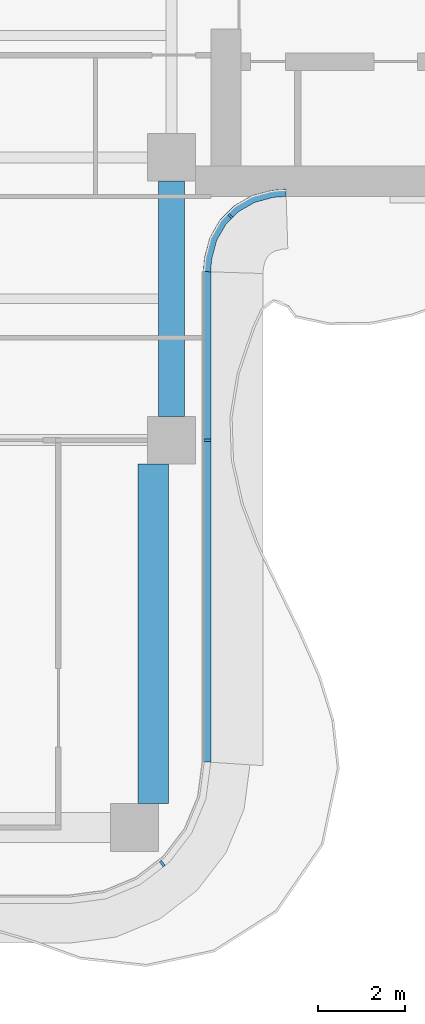
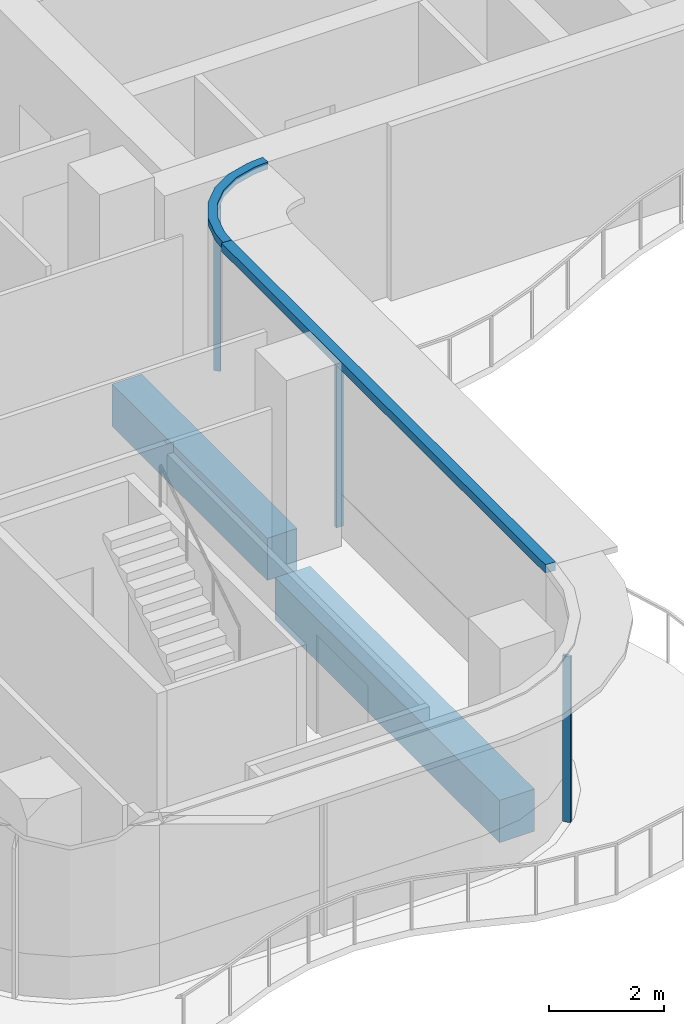
# One storey, part 5 of 16: 5 members, 2 beams, 3 elements without a shape of their own.
"""IFC4 building model written with IfcOpenShell, lengths in metres."""

from ifc_helpers import new_model, si_unit, direction, frame, origin, origin_2d, place, context, subcontext, project, spatial, polyline, rectangle, outline, extrude, source, transform, mapped, material, layer, layer_set, material_profile, profile_set, type_object, element, aggregate, save


model = new_model("IFC4")

# Units and contexts
model_context = context("Model", 3, precision=1e-05, world=origin(), true_north=direction((0.0, 1.0)))
body_context = subcontext(model_context, "Body", "Model", "MODEL_VIEW")
ifc_project = project(units=[si_unit("LENGTHUNIT", "METRE"), si_unit("AREAUNIT", "SQUARE_METRE"), si_unit("VOLUMEUNIT", "CUBIC_METRE"), si_unit("PLANEANGLEUNIT", "RADIAN"), si_unit("MASSUNIT", "GRAM", prefix="KILO")], contexts=[model_context])

# Site, building, storey
site_placement = place(None, origin())
site = spatial("IfcSite", under=ifc_project, at=site_placement, CompositionType="ELEMENT")
building_placement = place(site_placement, origin())
building = spatial("IfcBuilding", under=site, at=building_placement, Name="Trellis Farm Tower", CompositionType="ELEMENT")
storey_placement = place(building_placement, frame((0.0, 0.0, 263.60009765625)))
storey = spatial("IfcBuildingStorey", under=building, at=storey_placement, Name="L59", CompositionType="ELEMENT", Elevation=263.60009765625)

# Beams
ifc_material_1 = material(Name="Concrete C60/75", Category="concrete")
ifc_material_profile_1 = material_profile(ifc_material_1, rectangle(XDim=0.60009765625, YDim=0.89990234375, at=origin_2d()), Name="RC spandrel beam 600x900 C60/75")
ifc_profile_set_1 = profile_set([ifc_material_profile_1], Name="Concrete C60/75")
beam_type_1 = type_object("IfcBeamType", Name="RC spandrel beam 600x900 C60/75", PredefinedType="SPANDREL", material=ifc_profile_set_1)
shared_shape_1 = source(origin(), body_context, "Body", "SweptSolid", [
    extrude(rectangle(XDim=0.60009765625, YDim=0.89990234375, at=origin_2d()), origin(), (0.0, 0.0, 1.0), 5.400146484375),
])
beam_1_placement = place(storey_placement, frame((5.60009765625, -11.550048828125, -0.650146484375), z_axis=(0.0, 1.0, 0.0), x_axis=(-1.0, 0.0, 0.0)))
element("IfcBeam", 1, at=beam_1_placement, inside=storey, type_object=beam_type_1, Name="Girder", PredefinedType="SPANDREL", context=body_context, shape_type="MappedRepresentation", body=[
    mapped(shared_shape_1, transform((0.0, 0.0, 0.0))),
])
ifc_material_profile_2 = material_profile(ifc_material_1, rectangle(XDim=0.699951171875, YDim=0.89990234375, at=origin_2d()), Name="RC spandrel beam 700x900 C60/75")
ifc_profile_set_2 = profile_set([ifc_material_profile_2], Name="Concrete C60/75")
beam_type_2 = type_object("IfcBeamType", Name="RC spandrel beam 700x900 C60/75", PredefinedType="SPANDREL", material=ifc_profile_set_2)
shared_shape_2 = source(origin(), body_context, "Body", "SweptSolid", [
    extrude(rectangle(XDim=0.699951171875, YDim=0.89990234375, at=origin_2d()), origin(), (0.0, 0.0, 1.0), 7.800048828125),
])
beam_2_placement = place(storey_placement, frame((5.175048828125, -20.449951171875, -0.650146484375), z_axis=(0.0, 1.0, 0.0), x_axis=(-1.0, 0.0, 0.0)))
element("IfcBeam", 2, at=beam_2_placement, inside=storey, type_object=beam_type_2, Name="Girder", PredefinedType="SPANDREL", context=body_context, shape_type="MappedRepresentation", body=[
    mapped(shared_shape_2, transform((0.0, 0.0, 0.0))),
])

# Curtain wall, member
ifc_material_2 = material(Name="Aluminium and glass curtain wall", Category="aluminium")
ifc_layer_1 = layer(ifc_material_2, 0.18994140625)
ifc_layer_set_1 = layer_set([ifc_layer_1], Name="RIBBON CURTAIN WALL CW1")
curtain_wall_type_1 = type_object("IfcCurtainWallType", Name="RIBBON CURTAIN WALL CW1", PredefinedType="NOTDEFINED", material=ifc_layer_set_1)
placement = place(storey_placement, origin())
curtain_wall_1 = element("IfcCurtainWall", 3, at=placement, inside=storey, type_object=curtain_wall_type_1, Name="CW1 003", PredefinedType="NOTDEFINED")
ifc_material_3 = material(Name="Aluminium extrusion 6063-T6", Category="aluminium")
ifc_material_profile_3 = material_profile(ifc_material_3, rectangle(XDim=0.06005859375, YDim=0.14990234375, at=origin_2d()), Name="MULLION 60x150")
ifc_profile_set_3 = profile_set([ifc_material_profile_3], Name="Aluminium extrusion 6063-T6")
member_type_1 = type_object("IfcMemberType", Name="CW1 MULLION 60x150", PredefinedType="MULLION", material=ifc_profile_set_3)
shared_shape_3 = source(origin(), body_context, "Body", "SweptSolid", [
    extrude(rectangle(XDim=0.06005859375, YDim=0.14990234375, at=origin_2d()), origin(), (0.0, 0.0, 1.0), 3.52001953125),
])
member_1_placement = place(storey_placement, frame((5.385498046875, -21.828369140625, 0.0), z_axis=(0.0, 0.0, 1.0), x_axis=(0.793353340291, 0.608761429009, 0.0)))
member_1 = element("IfcMember", 4, at=member_1_placement, type_object=member_type_1, Name="MU1 003-02", PredefinedType="MULLION", context=body_context, shape_type="MappedRepresentation", body=[
    mapped(shared_shape_3, transform((0.0, 0.0, 0.0))),
])
aggregate(curtain_wall_1, [member_1])

curtain_wall_2 = element("IfcCurtainWall", 5, at=placement, inside=storey, type_object=curtain_wall_type_1, Name="CW1 004", PredefinedType="NOTDEFINED")
member_2_placement = place(storey_placement, frame((6.425048828125, -12.10009765625, 0.0), z_axis=(0.0, 0.0, 1.0), x_axis=(0.0, 1.0, 0.0)))
member_2 = element("IfcMember", 6, at=member_2_placement, type_object=member_type_1, Name="MU1 004-01", PredefinedType="MULLION", context=body_context, shape_type="MappedRepresentation", body=[
    mapped(shared_shape_3, transform((0.0, 0.0, 0.0))),
])

# Curtain wall, members
ifc_layer_2 = layer(ifc_material_2, 0.166015625)
ifc_layer_set_2 = layer_set([ifc_layer_2], Name="WINTER GARDEN CURTAIN WALL CW3")
curtain_wall_type_2 = type_object("IfcCurtainWallType", Name="WINTER GARDEN CURTAIN WALL CW3", PredefinedType="NOTDEFINED", material=ifc_layer_set_2)
curtain_wall_3 = element("IfcCurtainWall", 7, at=placement, inside=storey, type_object=curtain_wall_type_2, Name="CW3 002", PredefinedType="NOTDEFINED")
ifc_material_profile_4 = material_profile(ifc_material_3, rectangle(XDim=0.050048828125, YDim=0.1201171875, at=origin_2d()), Name="MULLION 50x120")
ifc_profile_set_4 = profile_set([ifc_material_profile_4], Name="Aluminium extrusion 6063-T6")
member_type_2 = type_object("IfcMemberType", Name="CW3 MULLION 50x120", PredefinedType="MULLION", material=ifc_profile_set_4)
shared_shape_4 = source(origin(), body_context, "Body", "SweptSolid", [
    extrude(rectangle(XDim=0.050048828125, YDim=0.1201171875, at=origin_2d()), origin(), (0.0, 0.0, 1.0), 3.5498046875),
])
member_3_placement = place(storey_placement, frame((6.953125, -6.953125, 0.0), z_axis=(0.0, 0.0, 1.0), x_axis=(0.707106781187, 0.707106781187, 0.0)))
member_3 = element("IfcMember", 8, at=member_3_placement, type_object=member_type_2, Name="MU3 002-01", PredefinedType="MULLION", context=body_context, shape_type="MappedRepresentation", body=[
    mapped(shared_shape_4, transform((0.0, 0.0, 0.0))),
])
ifc_layer_3 = layer(ifc_material_3, 0.169921875)
ifc_layer_set_3 = layer_set([ifc_layer_3], Name="Aluminium extrusion 6063-T6")
member_type_3 = type_object("IfcMemberType", Name="CW3 TRANSOM 170x150", PredefinedType="USERDEFINED", material=ifc_layer_set_3)
shared_shape_5 = source(origin(), body_context, "Body", "SweptSolid", [
    extrude(outline(polyline([(6.5, -8.2314453125), (6.513916015625, -8.01953125), (6.527587890625, -7.91552734375), (6.63671875, -7.508544921875), (6.846923828125, -7.144287109375), (7.144287109375, -6.846923828125), (7.508544921875, -6.63671875), (7.91552734375, -6.527587890625), (8.01953125, -6.513916015625), (8.2314453125, -6.5), (8.225830078125, -6.330078125), (8.0029296875, -6.3447265625), (7.88232421875, -6.360595703125), (7.44287109375, -6.478271484375), (7.0400390625, -6.7109375), (6.7109375, -7.0400390625), (6.478271484375, -7.44287109375), (6.360595703125, -7.88232421875), (6.3447265625, -8.0029296875), (6.330078125, -8.225830078125), (6.5, -8.2314453125)])), origin(), (0.0, 0.0, 1.0), 0.150146484375),
])
member_4_placement = place(storey_placement, frame((0.0, 0.0, 3.5498046875)))
member_4 = element("IfcMember", 9, at=member_4_placement, type_object=member_type_3, Name="TR3 002", ObjectType="TRANSOM", PredefinedType="USERDEFINED", context=body_context, shape_type="MappedRepresentation", body=[
    mapped(shared_shape_5, transform((0.0, 0.0, 0.0))),
])
aggregate(curtain_wall_3, [member_3, member_4])

# Member
ifc_layer_4 = layer(ifc_material_3, 0.199951171875)
ifc_layer_set_4 = layer_set([ifc_layer_4], Name="Aluminium extrusion 6063-T6")
member_type_4 = type_object("IfcMemberType", Name="CW1 TRANSOM 200x180", PredefinedType="USERDEFINED", material=ifc_layer_set_4)
shared_shape_6 = source(origin(), body_context, "Body", "SweptSolid", [
    extrude(outline(polyline([(6.5, -19.5), (6.5, -8.2314453125), (6.300048828125, -8.224853515625), (6.300048828125, -19.48681640625), (6.5, -19.5)])), origin(), (0.0, 0.0, 1.0), 0.179931640625),
])
member_5_placement = place(storey_placement, frame((0.0, 0.0, 3.52001953125)))
member_5 = element("IfcMember", 10, at=member_5_placement, type_object=member_type_4, Name="TR1 004", ObjectType="TRANSOM", PredefinedType="USERDEFINED", context=body_context, shape_type="MappedRepresentation", body=[
    mapped(shared_shape_6, transform((0.0, 0.0, 0.0))),
])

aggregate(curtain_wall_2, [member_2, member_5])

save(model, "model.ifc")
